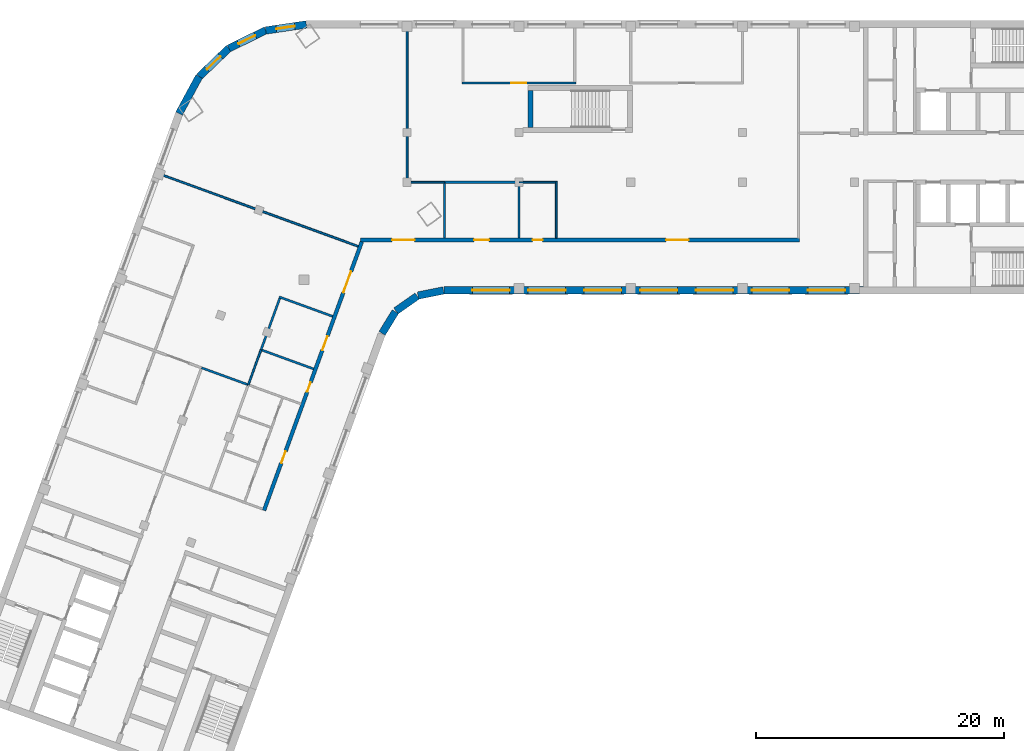
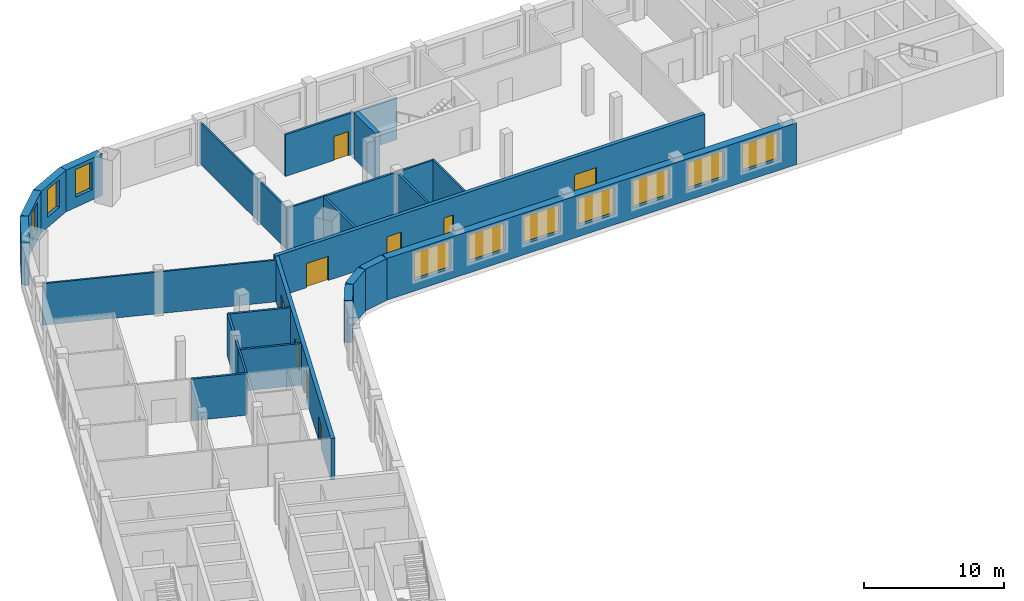
# One storey, part 4 of 8: 25 walls, 10 windows, 9 doors, 19 openings.
"""IFC4 building model written with IfcOpenShell, lengths in metres."""

import ifcopenshell
import ifcopenshell.guid

model = None  # the IFC model being written
_history = None  # IfcOwnerHistory: only IFC2X3 demands one
_inside = {}  # id of a spatial element -> (the spatial element, [elements in it])
_under = {}  # id of a project, library or spatial element -> (it, [spatial elements below it])
_declared = {}  # id of a project -> (the project, [libraries it declares])
_typed = {}  # id of a type object -> (the type object, [elements of that type])
_made_of = {}  # id of a material, layer set ... -> (it, [elements and type objects made of it])


def new_model(schema):
    """Start an empty IFC model of exactly this schema.

    Asked for "IFC4X3", IfcOpenShell would pick the latest addendum, in which some entities
    have other attributes; the version numbers below select the first issue.
    IFC2X3 requires an IfcOwnerHistory on every rooted entity: one is made here for all.
    """
    global model, _history
    if schema == "IFC4X3":
        model = ifcopenshell.file(schema_version=(4, 3, 0, 0))
    else:
        model = ifcopenshell.file(schema=schema)
    _inside.clear()
    _under.clear()
    _declared.clear()
    _typed.clear()
    _made_of.clear()
    _history = None
    if model.schema == "IFC2X3":
        org = make("IfcOrganization", Name="unknown")
        user = make(
            "IfcPersonAndOrganization",
            ThePerson=make("IfcPerson", FamilyName="unknown"),
            TheOrganization=org,
        )
        app = make(
            "IfcApplication",
            ApplicationDeveloper=org,
            Version="unknown",
            ApplicationFullName="unknown",
            ApplicationIdentifier="unknown",
        )
        _history = make(
            "IfcOwnerHistory",
            OwningUser=user,
            OwningApplication=app,
            ChangeAction="ADDED",
            CreationDate=0,
        )
    return model


def make(cls, **values):
    """One entity of the class cls with the attributes given. An attribute that is None is left unset."""
    return model.create_entity(
        cls, **{name: value for name, value in values.items() if value is not None}
    )


def rooted(cls, **values):
    """An entity with a GlobalId (a new one), such as an element, a storey or a relation."""
    return make(cls, GlobalId=ifcopenshell.guid.new(), OwnerHistory=_history, **values)


def si_unit(unit_type, name, prefix=None):
    """IfcSIUnit, for example si_unit("LENGTHUNIT", "METRE", prefix="MILLI")."""
    return make("IfcSIUnit", UnitType=unit_type, Prefix=prefix, Name=name)


def assignment(units):
    """IfcUnitAssignment: the units of a project."""
    return None if units is None else make("IfcUnitAssignment", Units=units)


def point(xyz):
    """IfcCartesianPoint."""
    return None if xyz is None else make("IfcCartesianPoint", Coordinates=xyz)


def direction(xyz):
    """IfcDirection."""
    return None if xyz is None else make("IfcDirection", DirectionRatios=xyz)


def frame(location, z_axis=None, x_axis=None):
    """IfcAxis2Placement3D, a coordinate frame: its origin and axes. An axis left out is left unset."""
    return make(
        "IfcAxis2Placement3D",
        Location=point(location),
        Axis=direction(z_axis),
        RefDirection=direction(x_axis),
    )


def frame_2d(location, x_axis=None):
    """IfcAxis2Placement2D, a coordinate frame in the plane: its origin and x axis."""
    return make(
        "IfcAxis2Placement2D", Location=point(location), RefDirection=direction(x_axis)
    )


def origin():
    """The frame at (0, 0, 0) with its axes left unset."""
    return frame((0.0, 0.0, 0.0))


def place(relative_to, where):
    """IfcLocalPlacement: puts the frame where relative to a parent placement (None: the world)."""
    return make(
        "IfcLocalPlacement", PlacementRelTo=relative_to, RelativePlacement=where
    )


def context(
    kind, dimensions, precision=None, world=None, true_north=None, identifier=None
):
    """IfcGeometricRepresentationContext, for example the 3D "Model" context."""
    return make(
        "IfcGeometricRepresentationContext",
        ContextIdentifier=identifier,
        ContextType=kind,
        CoordinateSpaceDimension=dimensions,
        Precision=precision,
        WorldCoordinateSystem=world,
        TrueNorth=true_north,
    )


def subcontext(parent, identifier, kind, view, scale=None):
    """IfcGeometricRepresentationSubContext, for example "Body" below "Model"."""
    return make(
        "IfcGeometricRepresentationSubContext",
        ContextIdentifier=identifier,
        ContextType=kind,
        ParentContext=parent,
        TargetScale=scale,
        TargetView=view,
    )


def project(units=None, contexts=None):
    """IfcProject with its units and contexts."""
    return rooted(
        "IfcProject",
        Name="project",
        RepresentationContexts=contexts,
        UnitsInContext=assignment(units),
    )


def spatial(cls, under=None, at=None, **own):
    """A site, building, storey or space (cls), placed at a placement, below another one or the project."""
    s = rooted(cls, ObjectPlacement=at, **own)
    if under is not None:
        _under.setdefault(under.id(), (under, []))[1].append(s)
    return s


def profile(cls, at=None, kind="AREA", **sizes):
    """A parametric profile (cls). Its sizes go by their IFC names, for example OverallWidth=200.0."""
    return make(cls, ProfileType=kind, Position=at, **sizes)


def rectangle(**sizes):
    """IfcRectangleProfileDef."""
    return profile("IfcRectangleProfileDef", **sizes)


def extrude(swept, where, along, depth):
    """IfcExtrudedAreaSolid: the profile swept, set in the frame where, extruded along a direction by depth."""
    return make(
        "IfcExtrudedAreaSolid",
        SweptArea=swept,
        Position=where,
        ExtrudedDirection=direction(along),
        Depth=depth,
    )


def shape(context_of_items, identifier, shape_type, items):
    """IfcShapeRepresentation: the items that make up one representation, for example the "Body"."""
    return make(
        "IfcShapeRepresentation",
        ContextOfItems=context_of_items,
        RepresentationIdentifier=identifier,
        RepresentationType=shape_type,
        Items=items,
    )


def material(Name=None, Category=None):
    """IfcMaterial."""
    return make("IfcMaterial", Name=Name, Category=Category)


def layer(
    of_material, thickness, ventilated=None, Name=None, Category=None, Priority=None
):
    """IfcMaterialLayer: one layer of a wall or slab, of a material (None: an air gap)."""
    return make(
        "IfcMaterialLayer",
        Material=of_material,
        LayerThickness=thickness,
        IsVentilated=ventilated,
        Name=Name,
        Category=Category,
        Priority=Priority,
    )


def layer_set(layers, Name=None):
    """IfcMaterialLayerSet."""
    return make("IfcMaterialLayerSet", MaterialLayers=layers, LayerSetName=Name)


def made_of(thing, what):
    """Note that an element or type object is made of a material, layer set ...; save() writes the relation."""
    if what is not None:
        _made_of.setdefault(what.id(), (what, []))[1].append(thing)
    return thing


def type_object(cls, material=None, **own):
    """A type object (cls), such as IfcWallType, which elements share."""
    return made_of(rooted(cls, **own), material)


def element(
    cls,
    number,
    at=None,
    inside=None,
    cuts=None,
    type_object=None,
    material=None,
    context=None,
    identifier="Body",
    shape_type=None,
    held_by="IfcProductDefinitionShape",
    body=None,
    shapes=None,
    **own,
):
    """One element of the class cls, such as IfcWall. Its Tag is "e" and its number.

    at: its placement. inside: the storey or other place that contains it. cuts: it is an
    opening in that element (IfcRelVoidsElement). A single representation is given by context,
    identifier, shape_type and body (its items); several are given by shapes. held_by: the class
    of the entity that holds the representations. save() writes the other relations.
    """
    e = rooted(cls, Tag="e%d" % number, ObjectPlacement=at, **own)
    if body is not None:
        shapes = [shape(context, identifier, shape_type, body)]
    if shapes is not None:
        e.Representation = make(held_by, Representations=shapes)
    if inside is not None:
        _inside.setdefault(inside.id(), (inside, []))[1].append(e)
    if cuts is not None:
        rooted(
            "IfcRelVoidsElement", RelatingBuildingElement=cuts, RelatedOpeningElement=e
        )
    if type_object is not None:
        _typed.setdefault(type_object.id(), (type_object, []))[1].append(e)
    return made_of(e, material)


def fill(opening, filler):
    """IfcRelFillsElement: the door or window that sits in an opening."""
    return rooted(
        "IfcRelFillsElement",
        RelatingOpeningElement=opening,
        RelatedBuildingElement=filler,
    )


def aggregate(whole, parts):
    """IfcRelAggregates: a whole, such as a stair, and the parts it consists of."""
    return rooted("IfcRelAggregates", RelatingObject=whole, RelatedObjects=parts)


def save(model, path):
    """Write the relations noted so far, then the file.

    IfcRelAggregates (storeys below a building ...), IfcRelContainedInSpatialStructure (elements
    in a storey), IfcRelDefinesByType, IfcRelAssociatesMaterial and IfcRelDeclares: one each for
    every whole, place, type object, material and project.
    """
    for whole, parts in _under.values():
        aggregate(whole, parts)
    for where, things in _inside.values():
        rooted(
            "IfcRelContainedInSpatialStructure",
            RelatedElements=things,
            RelatingStructure=where,
        )
    for kind, things in _typed.values():
        rooted("IfcRelDefinesByType", RelatedObjects=things, RelatingType=kind)
    for what, things in _made_of.values():
        rooted("IfcRelAssociatesMaterial", RelatedObjects=things, RelatingMaterial=what)
    for by, libraries in _declared.values():
        rooted("IfcRelDeclares", RelatingContext=by, RelatedDefinitions=libraries)
    model.write(path)


model = new_model("IFC4")

# Units and contexts
model_context = context("Model", 3, precision=1e-05, world=origin(), true_north=direction((0.0, 1.0)))
body_context = subcontext(model_context, "Body", "Model", "MODEL_VIEW")
ifc_project = project(units=[si_unit("LENGTHUNIT", "METRE"), si_unit("AREAUNIT", "SQUARE_METRE"), si_unit("VOLUMEUNIT", "CUBIC_METRE"), si_unit("PLANEANGLEUNIT", "RADIAN"), si_unit("MASSUNIT", "GRAM", prefix="KILO")], contexts=[model_context])

# Site, building, storey
site_placement = place(None, origin())
site = spatial("IfcSite", under=ifc_project, at=site_placement, CompositionType="ELEMENT")
building_placement = place(site_placement, origin())
building = spatial("IfcBuilding", under=site, at=building_placement, Name="Skarvind Civic Tower", CompositionType="ELEMENT")
storey_placement = place(building_placement, frame((0.0, 0.0, 170.5)))
storey = spatial("IfcBuildingStorey", under=building, at=storey_placement, Name="L40", CompositionType="ELEMENT", Elevation=170.5)

# Walls
ifc_material_1 = material(Name="Acoustic gypsum board on steel studs", Category="steel")
ifc_layer_1 = layer(ifc_material_1, 0.175048828125)
ifc_layer_set_1 = layer_set([ifc_layer_1], Name="ACOUSTIC MEETING-ROOM PARTITION 175")
wall_type_1 = type_object("IfcWallType", Name="ACOUSTIC MEETING-ROOM PARTITION 175", PredefinedType="PARTITIONING", material=ifc_layer_set_1)
wall_1_placement = place(storey_placement, frame((41.467041015625, 109.697021484375, 0.0), z_axis=(0.0, 0.0, 1.0), x_axis=(-0.939713209288, 0.341963571582, 0.0)))
element("IfcWall", 1, at=wall_1_placement, inside=storey, type_object=wall_type_1, Name="Partition 40.017", PredefinedType="PARTITIONING", context=body_context, shape_type="SweptSolid", body=[
    extrude(rectangle(XDim=4.000244140625, YDim=0.175048828125, at=frame_2d((2.0, 0.0))), origin(), (0.0, 0.0, 1.0), 3.625),
])
wall_2_placement = place(storey_placement, frame((42.574951171875, 112.486083984375, 0.0), z_axis=(0.0, 0.0, 1.0), x_axis=(0.939620446327, -0.342218375959, 0.0)))
element("IfcWall", 2, at=wall_2_placement, inside=storey, type_object=wall_type_1, Name="Partition 40.022", PredefinedType="PARTITIONING", context=body_context, shape_type="SweptSolid", body=[
    extrude(rectangle(XDim=4.412353515625, YDim=0.175048828125, at=frame_2d((2.2060546875, 0.0))), origin(), (0.0, 0.0, 1.0), 3.625),
])
wall_3_placement = place(storey_placement, frame((44.001953125, 116.662109375, 0.0), z_axis=(0.0, 0.0, 1.0), x_axis=(-0.342022951975, -0.939691598517, 0.0)))
element("IfcWall", 3, at=wall_3_placement, inside=storey, type_object=wall_type_1, Name="Partition 40.026", PredefinedType="PARTITIONING", context=body_context, shape_type="SweptSolid", body=[
    extrude(rectangle(XDim=4.412109375, YDim=0.175048828125, at=frame_2d((2.2060546875, 0.0))), origin(), (0.0, 0.0, 1.0), 3.625),
])
wall_4_placement = place(storey_placement, frame((48.260009765625, 115.205078125, 0.0), z_axis=(0.0, 0.0, 1.0), x_axis=(-0.939684589011, 0.34204220964, 0.0)))
element("IfcWall", 4, at=wall_4_placement, inside=storey, type_object=wall_type_1, Name="Partition 40.027", PredefinedType="PARTITIONING", context=body_context, shape_type="SweptSolid", body=[
    extrude(rectangle(XDim=4.586669921875, YDim=0.175048828125, at=frame_2d((2.29345703125, 0.0))), origin(), (0.0, 0.0, 1.0), 3.625),
])
wall_5_placement = place(storey_placement, frame((57.25, 125.9990234375, 0.0), z_axis=(0.0, 0.0, 1.0), x_axis=(0.0, -1.0, 0.0)))
element("IfcWall", 5, at=wall_5_placement, inside=storey, type_object=wall_type_1, Name="Partition 40.032", PredefinedType="PARTITIONING", context=body_context, shape_type="SweptSolid", body=[
    extrude(rectangle(XDim=4.498046875, YDim=0.175048828125, at=frame_2d((2.2490234375, 0.0))), origin(), (0.0, 0.0, 1.0), 3.625),
])
wall_6_placement = place(storey_placement, frame((63.25, 121.5, 0.0), z_axis=(0.0, 0.0, 1.0), x_axis=(0.0, 1.0, 0.0)))
element("IfcWall", 6, at=wall_6_placement, inside=storey, type_object=wall_type_1, Name="Partition 40.034", PredefinedType="PARTITIONING", context=body_context, shape_type="SweptSolid", body=[
    extrude(rectangle(XDim=4.412109375, YDim=0.175048828125, at=frame_2d((2.2060546875, 0.0))), origin(), (0.0, 0.0, 1.0), 3.625),
])
wall_7_placement = place(storey_placement, frame((63.25, 126.0, 0.0), z_axis=(0.0, 0.0, 1.0), x_axis=(-1.0, 0.0, 0.0)))
element("IfcWall", 7, at=wall_7_placement, inside=storey, type_object=wall_type_1, Name="Partition 40.035", PredefinedType="PARTITIONING", context=body_context, shape_type="SweptSolid", body=[
    extrude(rectangle(XDim=6.0, YDim=0.175048828125, at=frame_2d((3.0, 0.0))), origin(), (0.0, 0.0, 1.0), 3.625),
])

# Wall, opening, door
wall_8_placement = place(storey_placement, frame((67.837890625, 134.0, 0.0), z_axis=(0.0, 0.0, 1.0), x_axis=(-1.0, 0.0, 0.0)))
wall_8 = element("IfcWall", 8, at=wall_8_placement, inside=storey, type_object=wall_type_1, Name="Partition 40.038", PredefinedType="PARTITIONING", context=body_context, shape_type="SweptSolid", body=[
    extrude(rectangle(XDim=9.17578125, YDim=0.175048828125, at=frame_2d((4.587890625, 0.0))), origin(), (0.0, 0.0, 1.0), 3.625),
])
opening_1_placement = place(wall_8_placement, frame((3.988037109375, 0.0, 0.0)))
opening_1 = element("IfcOpeningElement", 9, at=opening_1_placement, cuts=wall_8, Name="Opening L40-D005", PredefinedType="OPENING", context=body_context, shape_type="SweptSolid", body=[
    extrude(rectangle(XDim=1.199951171875, YDim=2.10009765625, at=frame_2d((0.60009765625, 1.050048828125))), frame((0.0, 0.097412109375, 0.0), z_axis=(0.0, -1.0, 0.0), x_axis=(1.0, 0.0, 0.0)), (0.0, 0.0, 1.0), 0.195068359375),
])
ifc_material_2 = material(Name="Timber door leaf", Category="wood")
door_type_1 = type_object("IfcDoorType", Name="DOOR 1200X2100 DOUBLE TIMBER", OperationType="NOTDEFINED", PredefinedType="DOOR", material=ifc_material_2)
door_1_placement = place(opening_1_placement, origin())
door_1 = element("IfcDoor", 10, at=door_1_placement, inside=storey, type_object=door_type_1, Name="Door L40-D005", OperationType="DOUBLE_DOOR_SINGLE_SWING", OverallHeight=2.10009765625, OverallWidth=1.199951171875, PredefinedType="DOOR", context=body_context, shape_type="SweptSolid", body=[
    extrude(rectangle(XDim=1.199951171875, YDim=2.10009765625, at=frame_2d((0.60009765625, 1.050048828125))), frame((0.0, 0.02490234375, 0.0), z_axis=(0.0, -1.0, 0.0), x_axis=(1.0, 0.0, 0.0)), (0.0, 0.0, 1.0), 0.050048828125),
])
fill(opening_1, door_1)

# Wall, openings, doors
ifc_material_3 = material(Name="Fire-rated gypsum board on steel studs", Category="steel")
ifc_layer_2 = layer(ifc_material_3, 0.300048828125)
ifc_layer_set_2 = layer_set([ifc_layer_2], Name="CORRIDOR WALL 300")
wall_type_2 = type_object("IfcWallType", Name="CORRIDOR WALL 300", PredefinedType="PARTITIONING", material=ifc_layer_set_2)
wall_9_placement = place(storey_placement, frame((42.737060546875, 99.590087890625, 0.0), z_axis=(0.0, 0.0, 1.0), x_axis=(0.341992703977, 0.939702607438, 0.0)))
wall_9 = element("IfcWall", 11, at=wall_9_placement, inside=storey, type_object=wall_type_2, Name="Partition 40.023", PredefinedType="PARTITIONING", context=body_context, shape_type="SweptSolid", body=[
    extrude(rectangle(XDim=23.006103515625, YDim=0.300048828125, at=frame_2d((11.5029296875, 0.0))), origin(), (0.0, 0.0, 1.0), 3.625),
])
opening_2_placement = place(wall_9_placement, frame((4.0625, 0.0, 0.0)))
opening_2 = element("IfcOpeningElement", 12, at=opening_2_placement, cuts=wall_9, Name="Opening L40-D008", PredefinedType="OPENING", context=body_context, shape_type="SweptSolid", body=[
    extrude(rectangle(XDim=1.0, YDim=2.10009765625, at=frame_2d((0.5, 1.050048828125))), frame((0.0, 0.159912109375, 0.0), z_axis=(0.0, -1.0, 0.0), x_axis=(1.0, 0.0, 0.0)), (0.0, 0.0, 1.0), 0.320068359375),
])
opening_3_placement = place(wall_9_placement, frame((10.162353515625, 0.0, 0.0)))
opening_3 = element("IfcOpeningElement", 13, at=opening_3_placement, cuts=wall_9, Name="Opening L40-D014", PredefinedType="OPENING", context=body_context, shape_type="SweptSolid", body=[
    extrude(rectangle(XDim=0.800048828125, YDim=2.10009765625, at=frame_2d((0.39990234375, 1.050048828125))), frame((0.0, 0.159912109375, 0.0), z_axis=(0.0, -1.0, 0.0), x_axis=(1.0, 0.0, 0.0)), (0.0, 0.0, 1.0), 0.320068359375),
])
opening_4_placement = place(wall_9_placement, frame((13.71240234375, 0.0, 0.0)))
opening_4 = element("IfcOpeningElement", 14, at=opening_4_placement, cuts=wall_9, Name="Opening L40-D015", PredefinedType="OPENING", context=body_context, shape_type="SweptSolid", body=[
    extrude(rectangle(XDim=1.199951171875, YDim=2.10009765625, at=frame_2d((0.60009765625, 1.050048828125))), frame((0.0, 0.159912109375, 0.0), z_axis=(0.0, -1.0, 0.0), x_axis=(1.0, 0.0, 0.0)), (0.0, 0.0, 1.0), 0.320068359375),
])
opening_5_placement = place(wall_9_placement, frame((18.662353515625, 0.0, 0.0)))
opening_5 = element("IfcOpeningElement", 15, at=opening_5_placement, cuts=wall_9, Name="Opening L40-D018", PredefinedType="OPENING", context=body_context, shape_type="SweptSolid", body=[
    extrude(rectangle(XDim=1.800048828125, YDim=2.10009765625, at=frame_2d((0.89990234375, 1.050048828125))), frame((0.0, 0.159912109375, 0.0), z_axis=(0.0, -1.0, 0.0), x_axis=(1.0, 0.0, 0.0)), (0.0, 0.0, 1.0), 0.320068359375),
])
ifc_material_4 = material(Name="Fire-rated timber door leaf", Category="wood")
door_type_2 = type_object("IfcDoorType", Name="FD1 1000x2100", OperationType="NOTDEFINED", PredefinedType="DOOR", material=ifc_material_4)
door_2_placement = place(opening_2_placement, origin())
door_2 = element("IfcDoor", 16, at=door_2_placement, inside=storey, type_object=door_type_2, Name="Door L40-D008", OperationType="SINGLE_SWING_LEFT", OverallHeight=2.10009765625, OverallWidth=1.0, PredefinedType="DOOR", context=body_context, shape_type="SweptSolid", body=[
    extrude(rectangle(XDim=1.0, YDim=2.10009765625, at=frame_2d((0.5, 1.050048828125))), frame((0.0, 0.02490234375, 0.0), z_axis=(0.0, -1.0, 0.0), x_axis=(1.0, 0.0, 0.0)), (0.0, 0.0, 1.0), 0.050048828125),
])
fill(opening_2, door_2)
door_type_3 = type_object("IfcDoorType", Name="FD4 1800x2100", OperationType="NOTDEFINED", PredefinedType="DOOR", material=ifc_material_4)
door_3_placement = place(opening_5_placement, origin())
door_3 = element("IfcDoor", 17, at=door_3_placement, inside=storey, type_object=door_type_3, Name="Door L40-D018", OperationType="DOUBLE_DOOR_SINGLE_SWING", OverallHeight=2.10009765625, OverallWidth=1.800048828125, PredefinedType="DOOR", context=body_context, shape_type="SweptSolid", body=[
    extrude(rectangle(XDim=1.800048828125, YDim=2.10009765625, at=frame_2d((0.89990234375, 1.050048828125))), frame((0.0, 0.02490234375, 0.0), z_axis=(0.0, -1.0, 0.0), x_axis=(1.0, 0.0, 0.0)), (0.0, 0.0, 1.0), 0.050048828125),
])
fill(opening_5, door_3)
door_type_4 = type_object("IfcDoorType", Name="FD5 800x2100", OperationType="NOTDEFINED", PredefinedType="DOOR", material=ifc_material_4)
door_4_placement = place(opening_3_placement, origin())
door_4 = element("IfcDoor", 18, at=door_4_placement, inside=storey, type_object=door_type_4, Name="Door L40-D014", OperationType="SINGLE_SWING_RIGHT", OverallHeight=2.10009765625, OverallWidth=0.800048828125, PredefinedType="DOOR", context=body_context, shape_type="SweptSolid", body=[
    extrude(rectangle(XDim=0.800048828125, YDim=2.10009765625, at=frame_2d((0.39990234375, 1.050048828125))), frame((0.0, 0.02490234375, 0.0), z_axis=(0.0, -1.0, 0.0), x_axis=(1.0, 0.0, 0.0)), (0.0, 0.0, 1.0), 0.050048828125),
])
fill(opening_3, door_4)
door_type_5 = type_object("IfcDoorType", Name="FD6 1200x2100 DOUBLE", OperationType="NOTDEFINED", PredefinedType="DOOR", material=ifc_material_4)
door_5_placement = place(opening_4_placement, origin())
door_5 = element("IfcDoor", 19, at=door_5_placement, inside=storey, type_object=door_type_5, Name="Door L40-D015", OperationType="DOUBLE_DOOR_SINGLE_SWING", OverallHeight=2.10009765625, OverallWidth=1.199951171875, PredefinedType="DOOR", context=body_context, shape_type="SweptSolid", body=[
    extrude(rectangle(XDim=1.199951171875, YDim=2.10009765625, at=frame_2d((0.60009765625, 1.050048828125))), frame((0.0, 0.02490234375, 0.0), z_axis=(0.0, -1.0, 0.0), x_axis=(1.0, 0.0, 0.0)), (0.0, 0.0, 1.0), 0.050048828125),
])
fill(opening_4, door_5)

wall_10_placement = place(storey_placement, frame((50.506103515625, 121.35009765625, 0.0), z_axis=(0.0, 0.0, 1.0), x_axis=(1.0, 0.0, 0.0)))
wall_10 = element("IfcWall", 20, at=wall_10_placement, inside=storey, type_object=wall_type_2, Name="Partition 40.029", PredefinedType="PARTITIONING", context=body_context, shape_type="SweptSolid", body=[
    extrude(rectangle(XDim=35.31884765625, YDim=0.300048828125, at=frame_2d((17.659423828125, 0.0))), origin(), (0.0, 0.0, 1.0), 3.625),
])
opening_6_placement = place(wall_10_placement, frame((13.843994140625, 0.0, 0.0)))
opening_6 = element("IfcOpeningElement", 21, at=opening_6_placement, cuts=wall_10, Name="Opening L40-D002", PredefinedType="OPENING", context=body_context, shape_type="SweptSolid", body=[
    extrude(rectangle(XDim=0.800048828125, YDim=2.10009765625, at=frame_2d((0.39990234375, 1.050048828125))), frame((0.0, 0.159912109375, 0.0), z_axis=(0.0, -1.0, 0.0), x_axis=(1.0, 0.0, 0.0)), (0.0, 0.0, 1.0), 0.320068359375),
])
opening_7_placement = place(wall_10_placement, frame((9.14404296875, 0.0, 0.0)))
opening_7 = element("IfcOpeningElement", 22, at=opening_7_placement, cuts=wall_10, Name="Opening L40-D003", PredefinedType="OPENING", context=body_context, shape_type="SweptSolid", body=[
    extrude(rectangle(XDim=1.199951171875, YDim=2.10009765625, at=frame_2d((0.60009765625, 1.050048828125))), frame((0.0, 0.159912109375, 0.0), z_axis=(0.0, -1.0, 0.0), x_axis=(1.0, 0.0, 0.0)), (0.0, 0.0, 1.0), 0.320068359375),
])
opening_8_placement = place(wall_10_placement, frame((24.593994140625, 0.0, 0.0)))
opening_8 = element("IfcOpeningElement", 23, at=opening_8_placement, cuts=wall_10, Name="Opening L40-D006", PredefinedType="OPENING", context=body_context, shape_type="SweptSolid", body=[
    extrude(rectangle(XDim=1.800048828125, YDim=2.10009765625, at=frame_2d((0.89990234375, 1.050048828125))), frame((0.0, 0.159912109375, 0.0), z_axis=(0.0, -1.0, 0.0), x_axis=(1.0, 0.0, 0.0)), (0.0, 0.0, 1.0), 0.320068359375),
])
opening_9_placement = place(wall_10_placement, frame((2.54296875, 0.0, 0.0)))
opening_9 = element("IfcOpeningElement", 24, at=opening_9_placement, cuts=wall_10, Name="Opening L40-D019", PredefinedType="OPENING", context=body_context, shape_type="SweptSolid", body=[
    extrude(rectangle(XDim=1.800048828125, YDim=2.10009765625, at=frame_2d((0.89990234375, 1.050048828125))), frame((0.0, 0.159912109375, 0.0), z_axis=(0.0, -1.0, 0.0), x_axis=(1.0, 0.0, 0.0)), (0.0, 0.0, 1.0), 0.320068359375),
])
door_6_placement = place(opening_8_placement, origin())
door_6 = element("IfcDoor", 25, at=door_6_placement, inside=storey, type_object=door_type_3, Name="Door L40-D006", OperationType="DOUBLE_DOOR_SINGLE_SWING", OverallHeight=2.10009765625, OverallWidth=1.800048828125, PredefinedType="DOOR", context=body_context, shape_type="SweptSolid", body=[
    extrude(rectangle(XDim=1.800048828125, YDim=2.10009765625, at=frame_2d((0.89990234375, 1.050048828125))), frame((0.0, 0.02490234375, 0.0), z_axis=(0.0, -1.0, 0.0), x_axis=(1.0, 0.0, 0.0)), (0.0, 0.0, 1.0), 0.050048828125),
])
fill(opening_8, door_6)
door_7_placement = place(opening_9_placement, origin())
door_7 = element("IfcDoor", 26, at=door_7_placement, inside=storey, type_object=door_type_3, Name="Door L40-D019", OperationType="DOUBLE_DOOR_SINGLE_SWING", OverallHeight=2.10009765625, OverallWidth=1.800048828125, PredefinedType="DOOR", context=body_context, shape_type="SweptSolid", body=[
    extrude(rectangle(XDim=1.800048828125, YDim=2.10009765625, at=frame_2d((0.89990234375, 1.050048828125))), frame((0.0, 0.02490234375, 0.0), z_axis=(0.0, -1.0, 0.0), x_axis=(1.0, 0.0, 0.0)), (0.0, 0.0, 1.0), 0.050048828125),
])
fill(opening_9, door_7)
door_8_placement = place(opening_6_placement, origin())
door_8 = element("IfcDoor", 27, at=door_8_placement, inside=storey, type_object=door_type_4, Name="Door L40-D002", OperationType="SINGLE_SWING_LEFT", OverallHeight=2.10009765625, OverallWidth=0.800048828125, PredefinedType="DOOR", context=body_context, shape_type="SweptSolid", body=[
    extrude(rectangle(XDim=0.800048828125, YDim=2.10009765625, at=frame_2d((0.39990234375, 1.050048828125))), frame((0.0, 0.02490234375, 0.0), z_axis=(0.0, -1.0, 0.0), x_axis=(1.0, 0.0, 0.0)), (0.0, 0.0, 1.0), 0.050048828125),
])
fill(opening_6, door_8)
door_9_placement = place(opening_7_placement, origin())
door_9 = element("IfcDoor", 28, at=door_9_placement, inside=storey, type_object=door_type_5, Name="Door L40-D003", OperationType="DOUBLE_DOOR_SINGLE_SWING", OverallHeight=2.10009765625, OverallWidth=1.199951171875, PredefinedType="DOOR", context=body_context, shape_type="SweptSolid", body=[
    extrude(rectangle(XDim=1.199951171875, YDim=2.10009765625, at=frame_2d((0.60009765625, 1.050048828125))), frame((0.0, 0.02490234375, 0.0), z_axis=(0.0, -1.0, 0.0), x_axis=(1.0, 0.0, 0.0)), (0.0, 0.0, 1.0), 0.050048828125),
])
fill(opening_7, door_9)

# Walls
ifc_material_5 = material(Name="Concrete C60", Category="concrete")
ifc_layer_3 = layer(ifc_material_5, 0.39990234375)
ifc_layer_set_3 = layer_set([ifc_layer_3], Name="Core wall 400 C60")
wall_type_3 = type_object("IfcWallType", Name="Core wall 400 C60", PredefinedType="SHEAR", material=ifc_layer_set_3)
wall_11_placement = place(storey_placement, frame((64.199951171875, 130.39990234375, 0.0), z_axis=(0.0, 0.0, 1.0), x_axis=(0.0, 1.0, 0.0)))
element("IfcWall", 29, at=wall_11_placement, inside=storey, type_object=wall_type_3, Name="Core wall CM west L40", PredefinedType="SHEAR", context=body_context, shape_type="SweptSolid", body=[
    extrude(rectangle(XDim=3.0, YDim=0.39990234375, at=frame_2d((1.5, 0.0))), origin(), (0.0, 0.0, 1.0), 4.0),
])
ifc_material_6 = material(Name="Plasterboard partition on steel studs", Category="steel")
ifc_layer_4 = layer(ifc_material_6, 0.14990234375)
ifc_layer_set_4 = layer_set([ifc_layer_4], Name="PARTITION 150")
wall_type_4 = type_object("IfcWallType", Name="PARTITION 150", PredefinedType="PARTITIONING", material=ifc_layer_set_4)
wall_12_placement = place(storey_placement, frame((42.492919921875, 112.51611328125, 0.0), z_axis=(0.0, 0.0, 1.0), x_axis=(-0.341965219194, -0.939712609717, 0.0)))
element("IfcWall", 30, at=wall_12_placement, inside=storey, type_object=wall_type_4, Name="Partition 40.021", PredefinedType="PARTITIONING", context=body_context, shape_type="SweptSolid", body=[
    extrude(rectangle(XDim=3.0, YDim=0.14990234375, at=frame_2d((1.5, 0.0))), origin(), (0.0, 0.0, 1.0), 3.625),
])
wall_13_placement = place(storey_placement, frame((50.31103515625, 120.843017578125, 0.0), z_axis=(0.0, 0.0, 1.0), x_axis=(-0.939664702396, 0.342096838733, 0.0)))
element("IfcWall", 31, at=wall_13_placement, inside=storey, type_object=wall_type_4, Name="Partition 40.028", PredefinedType="PARTITIONING", context=body_context, shape_type="SweptSolid", body=[
    extrude(rectangle(XDim=16.898681640625, YDim=0.14990234375, at=frame_2d((8.44921875, 0.0))), origin(), (0.0, 0.0, 1.0), 3.625),
])
wall_14_placement = place(storey_placement, frame((54.25, 138.39892578125, 0.0), z_axis=(0.0, 0.0, 1.0), x_axis=(0.0, -1.0, 0.0)))
element("IfcWall", 32, at=wall_14_placement, inside=storey, type_object=wall_type_4, Name="Partition 40.030", PredefinedType="PARTITIONING", context=body_context, shape_type="SweptSolid", body=[
    extrude(rectangle(XDim=12.39697265625, YDim=0.14990234375, at=frame_2d((6.198486328125, 0.0))), origin(), (0.0, 0.0, 1.0), 3.625),
])
wall_15_placement = place(storey_placement, frame((54.251953125, 126.0, 0.0), z_axis=(0.0, 0.0, 1.0), x_axis=(1.0, 0.0, 0.0)))
element("IfcWall", 33, at=wall_15_placement, inside=storey, type_object=wall_type_4, Name="Partition 40.031", PredefinedType="PARTITIONING", context=body_context, shape_type="SweptSolid", body=[
    extrude(rectangle(XDim=2.9970703125, YDim=0.14990234375, at=frame_2d((1.49853515625, 0.0))), origin(), (0.0, 0.0, 1.0), 3.625),
])
wall_16_placement = place(storey_placement, frame((66.25, 121.5, 0.0), z_axis=(0.0, 0.0, 1.0), x_axis=(0.0, 1.0, 0.0)))
element("IfcWall", 34, at=wall_16_placement, inside=storey, type_object=wall_type_4, Name="Partition 40.036", PredefinedType="PARTITIONING", context=body_context, shape_type="SweptSolid", body=[
    extrude(rectangle(XDim=4.574951171875, YDim=0.14990234375, at=frame_2d((2.28759765625, 0.0))), origin(), (0.0, 0.0, 1.0), 3.625),
])
wall_17_placement = place(storey_placement, frame((66.175048828125, 126.0, 0.0), z_axis=(0.0, 0.0, 1.0), x_axis=(-1.0, 0.0, 0.0)))
element("IfcWall", 35, at=wall_17_placement, inside=storey, type_object=wall_type_4, Name="Partition 40.037", PredefinedType="PARTITIONING", context=body_context, shape_type="SweptSolid", body=[
    extrude(rectangle(XDim=2.925048828125, YDim=0.14990234375, at=frame_2d((1.46240234375, 0.0))), origin(), (0.0, 0.0, 1.0), 3.625),
])
ifc_material_7 = material(Name="Limestone masonry cladding on insulated backing", Category="masonry")
ifc_layer_5 = layer(ifc_material_7, 0.60009765625)
ifc_layer_set_5 = layer_set([ifc_layer_5], Name="WX1 STONE FACADE WALL 600")
wall_type_5 = type_object("IfcWallType", Name="WX1 STONE FACADE WALL 600", PredefinedType="SOLIDWALL", material=ifc_layer_set_5)
wall_18_placement = place(storey_placement, frame((53.30517578125, 115.578369140625, 0.0), z_axis=(0.0, 0.0, 1.0), x_axis=(-0.522402266438, -0.852699168535, 0.0)))
element("IfcWall", 36, at=wall_18_placement, inside=storey, type_object=wall_type_5, Name="STONE FACADE WALL", PredefinedType="SOLIDWALL", context=body_context, shape_type="SweptSolid", body=[
    extrude(rectangle(XDim=2.042236328125, YDim=0.60009765625, at=frame_2d((1.02099609375, 0.0))), origin(), (0.0, 0.0, 1.0), 3.625),
])
for number, where, z_axis, x_axis, name in (
    (37, (55.061767578125, 116.8388671875, 0.0), (0.0, 0.0, 1.0), (-0.819122269495, -0.573618956815, 0.0), "STONE FACADE WALL"),
    (38, (57.17529296875, 117.2939453125, 0.0), (0.0, 0.0, 1.0), (-0.97996099083, -0.19918949885, 0.0), "STONE FACADE WALL"),
):
    element("IfcWall", number, at=place(storey_placement, frame(where, z_axis=z_axis, x_axis=x_axis)), inside=storey, type_object=wall_type_5, Name=name, PredefinedType="SOLIDWALL", context=body_context, shape_type="SweptSolid", body=[
        extrude(rectangle(XDim=2.09228515625, YDim=0.60009765625, at=frame_2d((1.046142578125, 0.0))), origin(), (0.0, 0.0, 1.0), 3.625),
    ])

# Wall, openings, windows
wall_19_placement = place(storey_placement, frame((90.97998046875, 117.300048828125, 0.0), z_axis=(0.0, 0.0, 1.0), x_axis=(-1.0, 0.0, 0.0)))
wall_19 = element("IfcWall", 39, at=wall_19_placement, inside=storey, type_object=wall_type_5, Name="STONE FACADE WALL", PredefinedType="SOLIDWALL", context=body_context, shape_type="SweptSolid", body=[
    extrude(rectangle(XDim=33.744873046875, YDim=0.60009765625, at=frame_2d((16.87255859375, 0.0))), origin(), (0.0, 0.0, 1.0), 3.625),
])
opening_10_placement = place(wall_19_placement, frame((1.47998046875, 0.0, 0.89990234375)))
opening_10 = element("IfcOpeningElement", 40, at=opening_10_placement, cuts=wall_19, Name="Opening WN1", PredefinedType="OPENING", context=body_context, shape_type="SweptSolid", body=[
    extrude(rectangle(XDim=3.0, YDim=2.39990234375, at=frame_2d((1.5, 1.199951171875))), frame((0.0, 0.31005859375, 0.0), z_axis=(0.0, -1.0, 0.0), x_axis=(1.0, 0.0, 0.0)), (0.0, 0.0, 1.0), 0.6201171875),
])
opening_11_placement = place(wall_19_placement, frame((5.97998046875, 0.0, 0.89990234375)))
opening_11 = element("IfcOpeningElement", 41, at=opening_11_placement, cuts=wall_19, Name="Opening WN1", PredefinedType="OPENING", context=body_context, shape_type="SweptSolid", body=[
    extrude(rectangle(XDim=3.0, YDim=2.39990234375, at=frame_2d((1.5, 1.199951171875))), frame((0.0, 0.31005859375, 0.0), z_axis=(0.0, -1.0, 0.0), x_axis=(1.0, 0.0, 0.0)), (0.0, 0.0, 1.0), 0.6201171875),
])
opening_12_placement = place(wall_19_placement, frame((10.47998046875, 0.0, 0.89990234375)))
opening_12 = element("IfcOpeningElement", 42, at=opening_12_placement, cuts=wall_19, Name="Opening WN1", PredefinedType="OPENING", context=body_context, shape_type="SweptSolid", body=[
    extrude(rectangle(XDim=3.0, YDim=2.39990234375, at=frame_2d((1.5, 1.199951171875))), frame((0.0, 0.31005859375, 0.0), z_axis=(0.0, -1.0, 0.0), x_axis=(1.0, 0.0, 0.0)), (0.0, 0.0, 1.0), 0.6201171875),
])
opening_13_placement = place(wall_19_placement, frame((14.97998046875, 0.0, 0.89990234375)))
opening_13 = element("IfcOpeningElement", 43, at=opening_13_placement, cuts=wall_19, Name="Opening WN1", PredefinedType="OPENING", context=body_context, shape_type="SweptSolid", body=[
    extrude(rectangle(XDim=3.0, YDim=2.39990234375, at=frame_2d((1.5, 1.199951171875))), frame((0.0, 0.31005859375, 0.0), z_axis=(0.0, -1.0, 0.0), x_axis=(1.0, 0.0, 0.0)), (0.0, 0.0, 1.0), 0.6201171875),
])
opening_14_placement = place(wall_19_placement, frame((19.47998046875, 0.0, 0.89990234375)))
opening_14 = element("IfcOpeningElement", 44, at=opening_14_placement, cuts=wall_19, Name="Opening WN1", PredefinedType="OPENING", context=body_context, shape_type="SweptSolid", body=[
    extrude(rectangle(XDim=3.0, YDim=2.39990234375, at=frame_2d((1.5, 1.199951171875))), frame((0.0, 0.31005859375, 0.0), z_axis=(0.0, -1.0, 0.0), x_axis=(1.0, 0.0, 0.0)), (0.0, 0.0, 1.0), 0.6201171875),
])
opening_15_placement = place(wall_19_placement, frame((23.97998046875, 0.0, 0.89990234375)))
opening_15 = element("IfcOpeningElement", 45, at=opening_15_placement, cuts=wall_19, Name="Opening WN1", PredefinedType="OPENING", context=body_context, shape_type="SweptSolid", body=[
    extrude(rectangle(XDim=3.0, YDim=2.39990234375, at=frame_2d((1.5, 1.199951171875))), frame((0.0, 0.31005859375, 0.0), z_axis=(0.0, -1.0, 0.0), x_axis=(1.0, 0.0, 0.0)), (0.0, 0.0, 1.0), 0.6201171875),
])
opening_16_placement = place(wall_19_placement, frame((28.47998046875, 0.0, 0.89990234375)))
opening_16 = element("IfcOpeningElement", 46, at=opening_16_placement, cuts=wall_19, Name="Opening WN1", PredefinedType="OPENING", context=body_context, shape_type="SweptSolid", body=[
    extrude(rectangle(XDim=3.0, YDim=2.39990234375, at=frame_2d((1.5, 1.199951171875))), frame((0.0, 0.31005859375, 0.0), z_axis=(0.0, -1.0, 0.0), x_axis=(1.0, 0.0, 0.0)), (0.0, 0.0, 1.0), 0.6201171875),
])
ifc_material_8 = material(Name="Timber frame, double glazing, timber-lined reveal", Category="wood")
window_type_1 = type_object("IfcWindowType", Name="WN1 PUNCHED STONE WINDOW 3000 x 2400", PartitioningType="SINGLE_PANEL", PredefinedType="WINDOW", material=ifc_material_8)
window_1_placement = place(opening_10_placement, origin())
window_1 = element("IfcWindow", 47, at=window_1_placement, inside=storey, type_object=window_type_1, Name="WN1 WINDOW", OverallHeight=2.39990234375, OverallWidth=3.0, PartitioningType="SINGLE_PANEL", PredefinedType="WINDOW", context=body_context, shape_type="SweptSolid", body=[
    extrude(rectangle(XDim=3.0, YDim=2.39990234375, at=frame_2d((1.5, 1.199951171875))), frame((0.0, 0.030029296875, 0.0), z_axis=(0.0, -1.0, 0.0), x_axis=(1.0, 0.0, 0.0)), (0.0, 0.0, 1.0), 0.06005859375),
])
fill(opening_10, window_1)
window_2_placement = place(opening_11_placement, origin())
window_2 = element("IfcWindow", 48, at=window_2_placement, inside=storey, type_object=window_type_1, Name="WN1 WINDOW", OverallHeight=2.39990234375, OverallWidth=3.0, PartitioningType="SINGLE_PANEL", PredefinedType="WINDOW", context=body_context, shape_type="SweptSolid", body=[
    extrude(rectangle(XDim=3.0, YDim=2.39990234375, at=frame_2d((1.5, 1.199951171875))), frame((0.0, 0.030029296875, 0.0), z_axis=(0.0, -1.0, 0.0), x_axis=(1.0, 0.0, 0.0)), (0.0, 0.0, 1.0), 0.06005859375),
])
fill(opening_11, window_2)
window_3_placement = place(opening_12_placement, origin())
window_3 = element("IfcWindow", 49, at=window_3_placement, inside=storey, type_object=window_type_1, Name="WN1 WINDOW", OverallHeight=2.39990234375, OverallWidth=3.0, PartitioningType="SINGLE_PANEL", PredefinedType="WINDOW", context=body_context, shape_type="SweptSolid", body=[
    extrude(rectangle(XDim=3.0, YDim=2.39990234375, at=frame_2d((1.5, 1.199951171875))), frame((0.0, 0.030029296875, 0.0), z_axis=(0.0, -1.0, 0.0), x_axis=(1.0, 0.0, 0.0)), (0.0, 0.0, 1.0), 0.06005859375),
])
fill(opening_12, window_3)
window_4_placement = place(opening_13_placement, origin())
window_4 = element("IfcWindow", 50, at=window_4_placement, inside=storey, type_object=window_type_1, Name="WN1 WINDOW", OverallHeight=2.39990234375, OverallWidth=3.0, PartitioningType="SINGLE_PANEL", PredefinedType="WINDOW", context=body_context, shape_type="SweptSolid", body=[
    extrude(rectangle(XDim=3.0, YDim=2.39990234375, at=frame_2d((1.5, 1.199951171875))), frame((0.0, 0.030029296875, 0.0), z_axis=(0.0, -1.0, 0.0), x_axis=(1.0, 0.0, 0.0)), (0.0, 0.0, 1.0), 0.06005859375),
])
fill(opening_13, window_4)
window_5_placement = place(opening_14_placement, origin())
window_5 = element("IfcWindow", 51, at=window_5_placement, inside=storey, type_object=window_type_1, Name="WN1 WINDOW", OverallHeight=2.39990234375, OverallWidth=3.0, PartitioningType="SINGLE_PANEL", PredefinedType="WINDOW", context=body_context, shape_type="SweptSolid", body=[
    extrude(rectangle(XDim=3.0, YDim=2.39990234375, at=frame_2d((1.5, 1.199951171875))), frame((0.0, 0.030029296875, 0.0), z_axis=(0.0, -1.0, 0.0), x_axis=(1.0, 0.0, 0.0)), (0.0, 0.0, 1.0), 0.06005859375),
])
fill(opening_14, window_5)
window_6_placement = place(opening_15_placement, origin())
window_6 = element("IfcWindow", 52, at=window_6_placement, inside=storey, type_object=window_type_1, Name="WN1 WINDOW", OverallHeight=2.39990234375, OverallWidth=3.0, PartitioningType="SINGLE_PANEL", PredefinedType="WINDOW", context=body_context, shape_type="SweptSolid", body=[
    extrude(rectangle(XDim=3.0, YDim=2.39990234375, at=frame_2d((1.5, 1.199951171875))), frame((0.0, 0.030029296875, 0.0), z_axis=(0.0, -1.0, 0.0), x_axis=(1.0, 0.0, 0.0)), (0.0, 0.0, 1.0), 0.06005859375),
])
fill(opening_15, window_6)
window_7_placement = place(opening_16_placement, origin())
window_7 = element("IfcWindow", 53, at=window_7_placement, inside=storey, type_object=window_type_1, Name="WN1 WINDOW", OverallHeight=2.39990234375, OverallWidth=3.0, PartitioningType="SINGLE_PANEL", PredefinedType="WINDOW", context=body_context, shape_type="SweptSolid", body=[
    extrude(rectangle(XDim=3.0, YDim=2.39990234375, at=frame_2d((1.5, 1.199951171875))), frame((0.0, 0.030029296875, 0.0), z_axis=(0.0, -1.0, 0.0), x_axis=(1.0, 0.0, 0.0)), (0.0, 0.0, 1.0), 0.06005859375),
])
fill(opening_16, window_7)

# Wall, opening, window
wall_20_placement = place(storey_placement, frame((42.872802734375, 138.21728515625, 0.0), z_axis=(0.0, 0.0, 1.0), x_axis=(0.989110792192, 0.14717282619, 0.0)))
wall_20 = element("IfcWall", 54, at=wall_20_placement, inside=storey, type_object=wall_type_5, Name="STONE FACADE WALL", PredefinedType="SOLIDWALL", context=body_context, shape_type="SweptSolid", body=[
    extrude(rectangle(XDim=3.302734375, YDim=0.60009765625, at=frame_2d((1.6513671875, 0.0))), origin(), (0.0, 0.0, 1.0), 3.625),
])
opening_17_placement = place(wall_20_placement, frame((0.8564453125, 0.0, 0.89990234375)))
opening_17 = element("IfcOpeningElement", 55, at=opening_17_placement, cuts=wall_20, Name="Opening WN8", PredefinedType="OPENING", context=body_context, shape_type="SweptSolid", body=[
    extrude(rectangle(XDim=1.5, YDim=2.39990234375, at=frame_2d((0.75, 1.199951171875))), frame((0.0, 0.31005859375, 0.0), z_axis=(0.0, -1.0, 0.0), x_axis=(1.0, 0.0, 0.0)), (0.0, 0.0, 1.0), 0.6201171875),
])
window_type_2 = type_object("IfcWindowType", Name="WN8 ARC BAY WINDOW 1500 x 2400", PartitioningType="SINGLE_PANEL", PredefinedType="WINDOW", material=ifc_material_8)
window_8_placement = place(opening_17_placement, origin())
window_8 = element("IfcWindow", 56, at=window_8_placement, inside=storey, type_object=window_type_2, Name="WN8 WINDOW", OverallHeight=2.39990234375, OverallWidth=1.5, PartitioningType="SINGLE_PANEL", PredefinedType="WINDOW", context=body_context, shape_type="SweptSolid", body=[
    extrude(rectangle(XDim=1.5, YDim=2.39990234375, at=frame_2d((0.75, 1.199951171875))), frame((0.0, 0.030029296875, 0.0), z_axis=(0.0, -1.0, 0.0), x_axis=(1.0, 0.0, 0.0)), (0.0, 0.0, 1.0), 0.06005859375),
])
fill(opening_17, window_8)

wall_21_placement = place(storey_placement, frame((39.9072265625, 136.77587890625, 0.0), z_axis=(0.0, 0.0, 1.0), x_axis=(0.89761231107, 0.440785819889, 0.0)))
wall_21 = element("IfcWall", 57, at=wall_21_placement, inside=storey, type_object=wall_type_5, Name="STONE FACADE WALL", PredefinedType="SOLIDWALL", context=body_context, shape_type="SweptSolid", body=[
    extrude(rectangle(XDim=3.302734375, YDim=0.60009765625, at=frame_2d((1.6513671875, 0.0))), origin(), (0.0, 0.0, 1.0), 3.625),
])
opening_18_placement = place(wall_21_placement, frame((0.8564453125, 0.0, 0.89990234375)))
opening_18 = element("IfcOpeningElement", 58, at=opening_18_placement, cuts=wall_21, Name="Opening WN8", PredefinedType="OPENING", context=body_context, shape_type="SweptSolid", body=[
    extrude(rectangle(XDim=1.5, YDim=2.39990234375, at=frame_2d((0.75, 1.199951171875))), frame((0.0, 0.31005859375, 0.0), z_axis=(0.0, -1.0, 0.0), x_axis=(1.0, 0.0, 0.0)), (0.0, 0.0, 1.0), 0.6201171875),
])
window_9_placement = place(opening_18_placement, origin())
window_9 = element("IfcWindow", 59, at=window_9_placement, inside=storey, type_object=window_type_2, Name="WN8 WINDOW", OverallHeight=2.39990234375, OverallWidth=1.5, PartitioningType="SINGLE_PANEL", PredefinedType="WINDOW", context=body_context, shape_type="SweptSolid", body=[
    extrude(rectangle(XDim=1.5, YDim=2.39990234375, at=frame_2d((0.75, 1.199951171875))), frame((0.0, 0.030029296875, 0.0), z_axis=(0.0, -1.0, 0.0), x_axis=(1.0, 0.0, 0.0)), (0.0, 0.0, 1.0), 0.06005859375),
])
fill(opening_18, window_9)

wall_22_placement = place(storey_placement, frame((37.520263671875, 134.501220703125, 0.0), z_axis=(0.0, 0.0, 1.0), x_axis=(0.72115684486, 0.692771827596, 0.0)))
wall_22 = element("IfcWall", 60, at=wall_22_placement, inside=storey, type_object=wall_type_5, Name="STONE FACADE WALL", PredefinedType="SOLIDWALL", context=body_context, shape_type="SweptSolid", body=[
    extrude(rectangle(XDim=3.302734375, YDim=0.60009765625, at=frame_2d((1.6513671875, 0.0))), origin(), (0.0, 0.0, 1.0), 3.625),
])
opening_19_placement = place(wall_22_placement, frame((0.8564453125, 0.0, 0.89990234375)))
opening_19 = element("IfcOpeningElement", 61, at=opening_19_placement, cuts=wall_22, Name="Opening WN8", PredefinedType="OPENING", context=body_context, shape_type="SweptSolid", body=[
    extrude(rectangle(XDim=1.5, YDim=2.39990234375, at=frame_2d((0.75, 1.199951171875))), frame((0.0, 0.31005859375, 0.0), z_axis=(0.0, -1.0, 0.0), x_axis=(1.0, 0.0, 0.0)), (0.0, 0.0, 1.0), 0.6201171875),
])
window_10_placement = place(opening_19_placement, origin())
window_10 = element("IfcWindow", 62, at=window_10_placement, inside=storey, type_object=window_type_2, Name="WN8 WINDOW", OverallHeight=2.39990234375, OverallWidth=1.5, PartitioningType="SINGLE_PANEL", PredefinedType="WINDOW", context=body_context, shape_type="SweptSolid", body=[
    extrude(rectangle(XDim=1.5, YDim=2.39990234375, at=frame_2d((0.75, 1.199951171875))), frame((0.0, 0.030029296875, 0.0), z_axis=(0.0, -1.0, 0.0), x_axis=(1.0, 0.0, 0.0)), (0.0, 0.0, 1.0), 0.06005859375),
])
fill(opening_19, window_10)

# Wall
wall_23_placement = place(storey_placement, frame((35.89453125, 131.529541015625, 0.0), z_axis=(0.0, 0.0, 1.0), x_axis=(0.476531180538, 0.879157570618, 0.0)))
element("IfcWall", 63, at=wall_23_placement, inside=storey, type_object=wall_type_5, Name="STONE FACADE WALL", PredefinedType="SOLIDWALL", context=body_context, shape_type="SweptSolid", body=[
    extrude(rectangle(XDim=3.392578125, YDim=0.60009765625, at=frame_2d((1.6962890625, 0.0))), origin(), (0.0, 0.0, 1.0), 3.625),
])

save(model, "model.ifc")
